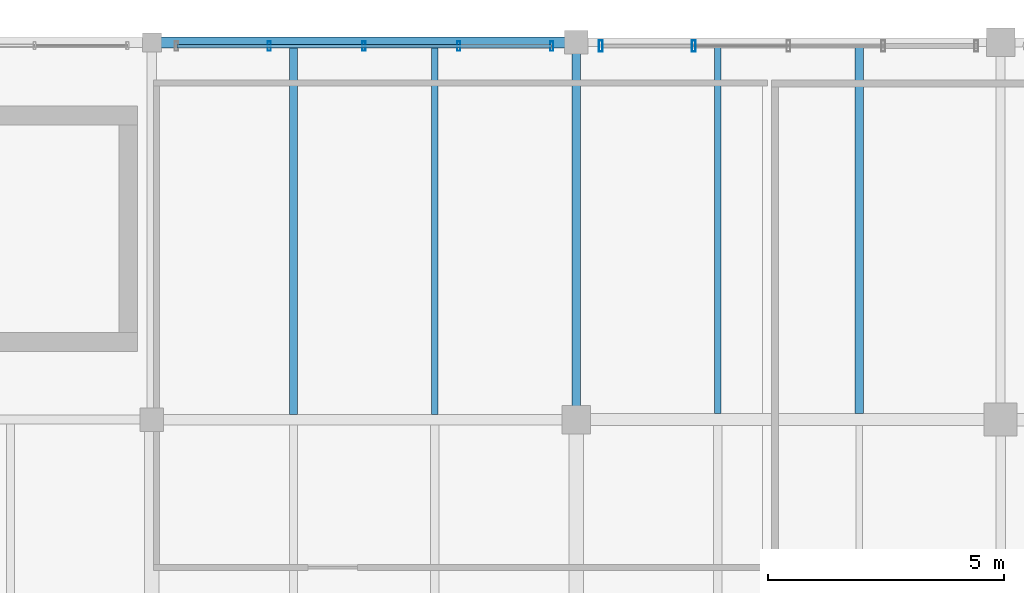
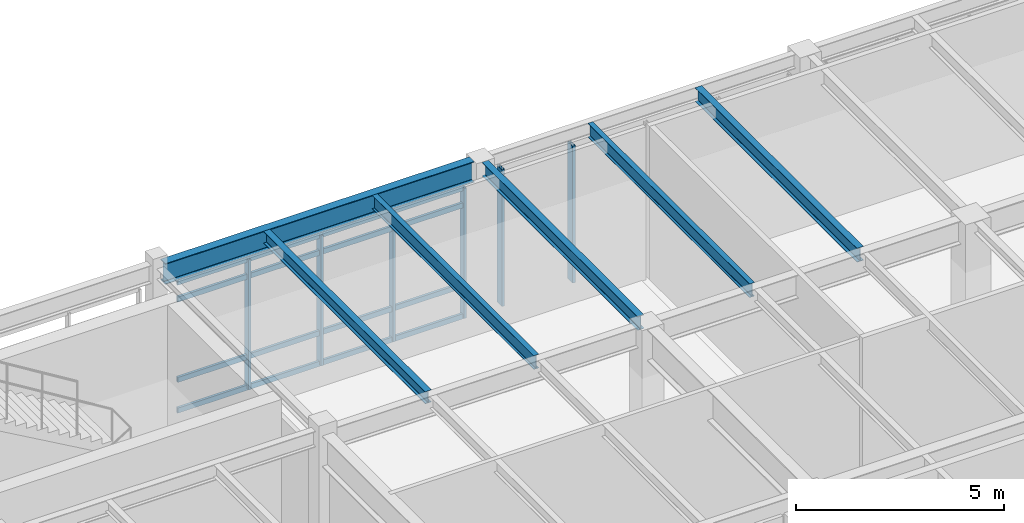
# One storey, part 95 of 200: 10 members, 6 beams, 2 elements without a shape of their own.
"""IFC4 building model written with IfcOpenShell, lengths in metres."""

from ifc_helpers import new_model, si_unit, direction, frame, origin, origin_2d, place, context, subcontext, project, spatial, hollow_rectangle, i_section, extrude, material, material_profile, profile_set, type_object, element, aggregate, save


model = new_model("IFC4")

# Units and contexts
model_context = context("Model", 3, precision=1e-05, world=origin(), true_north=direction((0.0, 1.0)))
body_context = subcontext(model_context, "Body", "Model", "MODEL_VIEW")
ifc_project = project(units=[si_unit("LENGTHUNIT", "METRE"), si_unit("AREAUNIT", "SQUARE_METRE"), si_unit("VOLUMEUNIT", "CUBIC_METRE"), si_unit("PLANEANGLEUNIT", "RADIAN"), si_unit("MASSUNIT", "GRAM", prefix="KILO"), si_unit("THERMODYNAMICTEMPERATUREUNIT", "KELVIN"), si_unit("POWERUNIT", "WATT")], contexts=[model_context])

# Site, building, storey
site_placement = place(None, origin())
site = spatial("IfcSite", under=ifc_project, at=site_placement, CompositionType="ELEMENT")
building_placement = place(site_placement, origin())
building = spatial("IfcBuilding", under=site, at=building_placement, Name="Tepalcoro Natatorium and Aquatics Centre", CompositionType="ELEMENT")
storey_placement = place(building_placement, frame((0.0, 0.0, 5.39990234375)))
storey = spatial("IfcBuildingStorey", under=building, at=storey_placement, Name="L01", CompositionType="ELEMENT", Elevation=5.39990234375)

# Beam
ifc_material_1 = material(Name="Steel ASTM A992 Grade 50 (Fy 345 MPa)", Category="steel")
ifc_material_profile_1 = material_profile(ifc_material_1, i_section(OverallWidth=0.177978515625, OverallDepth=0.406005859375, WebThickness=0.008056640625, FlangeThickness=0.012939453125, FilletRadius=0.013916015625, at=origin_2d()), Name="W16X40")
ifc_profile_set_1 = profile_set([ifc_material_profile_1], Name="Steel ASTM A992 Grade 50 (Fy 345 MPa)")
beam_type_1 = type_object("IfcBeamType", Name="BM_W16x40", PredefinedType="BEAM", material=ifc_profile_set_1)
beam_1_placement = place(storey_placement, frame((71.0, 110.284912109375, 4.281982421875), z_axis=(0.0, 1.0, 0.0), x_axis=(-1.0, 0.0, 0.0)))
element("IfcBeam", 1, at=beam_1_placement, inside=storey, type_object=beam_type_1, Name="V4 L01 Grid Girder Y", PredefinedType="BEAM", context=body_context, shape_type="SweptSolid", body=[
    extrude(i_section(OverallWidth=0.177978515625, OverallDepth=0.406005859375, WebThickness=0.008056640625, FlangeThickness=0.012939453125, FilletRadius=0.013916015625, at=origin_2d()), origin(), (0.0, 0.0, 1.0), 7.47998046875),
])

# Curtain wall, members
ifc_material_2 = material(Name="Bronze-Anodised Extruded Aluminium Alloy EN AW-6063 T6", Category="aluminium")
curtain_wall_type_1 = type_object("IfcCurtainWallType", Name="CW_V3_FOYER", PredefinedType="USERDEFINED", material=ifc_material_2)
curtain_wall_1_placement = place(storey_placement, origin())
curtain_wall_1 = element("IfcCurtainWall", 2, at=curtain_wall_1_placement, inside=storey, type_object=curtain_wall_type_1, Name="V4 L01 N Unitised Curtain Wall Bay 7", ObjectType="UNITISED STOREFRONT", PredefinedType="USERDEFINED")
ifc_material_profile_2 = material_profile(ifc_material_2, hollow_rectangle(XDim=0.070068359375, YDim=0.199951171875, WallThickness=0.0048828125, at=origin_2d()), Name="AL70X200X5")
ifc_profile_set_2 = profile_set([ifc_material_profile_2], Name="Bronze-Anodised Extruded Aluminium Alloy EN AW-6063 T6")
member_type_1 = type_object("IfcMemberType", Name="CW_MUL_70x200", PredefinedType="MULLION", material=ifc_profile_set_2)
member_1_placement = place(storey_placement, frame((64.489990234375, 117.919921875, 0.02001953125), z_axis=(0.0, 0.0, 1.0), x_axis=(1.0, 0.0, 0.0)))
member_1 = element("IfcMember", 3, at=member_1_placement, type_object=member_type_1, Name="CW_V3_FOYER Curtain Wall Mullion", PredefinedType="MULLION", context=body_context, shape_type="SweptSolid", body=[
    extrude(hollow_rectangle(XDim=0.070068359375, YDim=0.199951171875, WallThickness=0.0048828125, at=origin_2d()), origin(), (0.0, 0.0, 1.0), 3.818115234375),
])
member_2_placement = place(storey_placement, frame((66.5, 117.919921875, 0.02001953125), z_axis=(0.0, 0.0, 1.0), x_axis=(1.0, 0.0, 0.0)))
member_2 = element("IfcMember", 4, at=member_2_placement, type_object=member_type_1, Name="CW_V3_FOYER Curtain Wall Mullion", PredefinedType="MULLION", context=body_context, shape_type="SweptSolid", body=[
    extrude(hollow_rectangle(XDim=0.070068359375, YDim=0.199951171875, WallThickness=0.0048828125, at=origin_2d()), origin(), (0.0, 0.0, 1.0), 3.818115234375),
])
member_3_placement = place(storey_placement, frame((68.510009765625, 117.919921875, 0.02001953125), z_axis=(0.0, 0.0, 1.0), x_axis=(1.0, 0.0, 0.0)))
member_3 = element("IfcMember", 5, at=member_3_placement, type_object=member_type_1, Name="CW_V3_FOYER Curtain Wall Mullion", PredefinedType="MULLION", context=body_context, shape_type="SweptSolid", body=[
    extrude(hollow_rectangle(XDim=0.070068359375, YDim=0.199951171875, WallThickness=0.0048828125, at=origin_2d()), origin(), (0.0, 0.0, 1.0), 3.818115234375),
])
member_4_placement = place(storey_placement, frame((70.47998046875, 117.919921875, 0.02001953125), z_axis=(0.0, 0.0, 1.0), x_axis=(1.0, 0.0, 0.0)))
member_4 = element("IfcMember", 6, at=member_4_placement, type_object=member_type_1, Name="CW_V3_FOYER Curtain Wall Mullion", PredefinedType="MULLION", context=body_context, shape_type="SweptSolid", body=[
    extrude(hollow_rectangle(XDim=0.070068359375, YDim=0.199951171875, WallThickness=0.0048828125, at=origin_2d()), origin(), (0.0, 0.0, 1.0), 3.818115234375),
])

curtain_wall_type_2 = type_object("IfcCurtainWallType", Name="CW_V4_VILLAGE", PredefinedType="USERDEFINED", material=ifc_material_2)
curtain_wall_2_placement = place(storey_placement, origin())
curtain_wall_2 = element("IfcCurtainWall", 7, at=curtain_wall_2_placement, inside=storey, type_object=curtain_wall_type_2, Name="V4 L01 N Unitised Curtain Wall Bay 8", ObjectType="UNITISED STOREFRONT", PredefinedType="USERDEFINED")
ifc_material_profile_3 = material_profile(ifc_material_2, hollow_rectangle(XDim=0.080078125, YDim=0.239990234375, WallThickness=0.0048828125, at=origin_2d()), Name="AL80X240X5")
ifc_profile_set_3 = profile_set([ifc_material_profile_3], Name="Bronze-Anodised Extruded Aluminium Alloy EN AW-6063 T6")
member_type_2 = type_object("IfcMemberType", Name="CW_MUL_80x240", PredefinedType="MULLION", material=ifc_profile_set_3)
member_5_placement = place(storey_placement, frame((71.52001953125, 117.923828125, 0.02001953125), z_axis=(0.0, 0.0, 1.0), x_axis=(1.0, 0.0, 0.0)))
member_5 = element("IfcMember", 8, at=member_5_placement, type_object=member_type_2, Name="CW_V4_VILLAGE Curtain Wall Mullion", PredefinedType="MULLION", context=body_context, shape_type="SweptSolid", body=[
    extrude(hollow_rectangle(XDim=0.080078125, YDim=0.239990234375, WallThickness=0.0048828125, at=origin_2d()), origin(), (0.0, 0.0, 1.0), 4.01708984375),
])
member_6_placement = place(storey_placement, frame((73.489990234375, 117.923828125, 0.02001953125), z_axis=(0.0, 0.0, 1.0), x_axis=(1.0, 0.0, 0.0)))
member_6 = element("IfcMember", 9, at=member_6_placement, type_object=member_type_2, Name="CW_V4_VILLAGE Curtain Wall Mullion", PredefinedType="MULLION", context=body_context, shape_type="SweptSolid", body=[
    extrude(hollow_rectangle(XDim=0.080078125, YDim=0.239990234375, WallThickness=0.0048828125, at=origin_2d()), origin(), (0.0, 0.0, 1.0), 4.01708984375),
])
aggregate(curtain_wall_2, [member_5, member_6])

# Member
ifc_material_profile_4 = material_profile(ifc_material_2, hollow_rectangle(XDim=0.070068359375, YDim=0.14990234375, WallThickness=0.00390625, at=origin_2d()), Name="AL70X150X4")
ifc_profile_set_4 = profile_set([ifc_material_profile_4], Name="Bronze-Anodised Extruded Aluminium Alloy EN AW-6063 T6")
member_type_3 = type_object("IfcMemberType", Name="CW_TRN_70x150", PredefinedType="USERDEFINED", material=ifc_profile_set_4)
member_7_placement = place(storey_placement, frame((62.530029296875, 117.919921875, 0.050048828125), z_axis=(1.0, 0.0, 0.0), x_axis=(0.0, 1.0, 0.0)))
member_7 = element("IfcMember", 10, at=member_7_placement, type_object=member_type_3, Name="CW_V3_FOYER Curtain Wall Transom", ObjectType="TRANSOM", PredefinedType="USERDEFINED", context=body_context, shape_type="SweptSolid", body=[
    extrude(hollow_rectangle(XDim=0.070068359375, YDim=0.14990234375, WallThickness=0.00390625, at=origin_2d()), origin(), (0.0, 0.0, 1.0), 7.93994140625),
])

member_8_placement = place(storey_placement, frame((62.530029296875, 117.919921875, 0.9501953125), z_axis=(1.0, 0.0, 0.0), x_axis=(0.0, 1.0, 0.0)))
member_8 = element("IfcMember", 11, at=member_8_placement, type_object=member_type_3, Name="CW_V3_FOYER Curtain Wall Transom", ObjectType="TRANSOM", PredefinedType="USERDEFINED", context=body_context, shape_type="SweptSolid", body=[
    extrude(hollow_rectangle(XDim=0.070068359375, YDim=0.14990234375, WallThickness=0.00390625, at=origin_2d()), origin(), (0.0, 0.0, 1.0), 7.93994140625),
])

member_9_placement = place(storey_placement, frame((62.530029296875, 117.919921875, 3.30810546875), z_axis=(1.0, 0.0, 0.0), x_axis=(0.0, 1.0, 0.0)))
member_9 = element("IfcMember", 12, at=member_9_placement, type_object=member_type_3, Name="CW_V3_FOYER Curtain Wall Transom", ObjectType="TRANSOM", PredefinedType="USERDEFINED", context=body_context, shape_type="SweptSolid", body=[
    extrude(hollow_rectangle(XDim=0.070068359375, YDim=0.14990234375, WallThickness=0.00390625, at=origin_2d()), origin(), (0.0, 0.0, 1.0), 7.93994140625),
])

member_10_placement = place(storey_placement, frame((62.530029296875, 117.919921875, 3.80810546875), z_axis=(1.0, 0.0, 0.0), x_axis=(0.0, 1.0, 0.0)))
member_10 = element("IfcMember", 13, at=member_10_placement, type_object=member_type_3, Name="CW_V3_FOYER Curtain Wall Transom", ObjectType="TRANSOM", PredefinedType="USERDEFINED", context=body_context, shape_type="SweptSolid", body=[
    extrude(hollow_rectangle(XDim=0.070068359375, YDim=0.14990234375, WallThickness=0.00390625, at=origin_2d()), origin(), (0.0, 0.0, 1.0), 7.93994140625),
])

aggregate(curtain_wall_1, [member_1, member_2, member_3, member_4, member_7, member_8, member_9, member_10])

# Beams
ifc_material_profile_5 = material_profile(ifc_material_1, i_section(OverallWidth=0.172119140625, OverallDepth=0.35791015625, WebThickness=0.008056640625, FlangeThickness=0.012939453125, FilletRadius=0.013916015625, at=origin_2d()), Name="W14X38")
ifc_profile_set_5 = profile_set([ifc_material_profile_5], Name="Steel ASTM A992 Grade 50 (Fy 345 MPa)")
beam_type_2 = type_object("IfcBeamType", Name="JS_W14x38", PredefinedType="JOIST", material=ifc_profile_set_5)
beam_2_placement = place(storey_placement, frame((65.0, 110.114013671875, 4.30615234375), z_axis=(0.0, 1.0, 0.0), x_axis=(-1.0, 0.0, 0.0)))
element("IfcBeam", 14, at=beam_2_placement, inside=storey, type_object=beam_type_2, Name="V4 L01 Floor Joist", PredefinedType="JOIST", context=body_context, shape_type="SweptSolid", body=[
    extrude(i_section(OverallWidth=0.172119140625, OverallDepth=0.35791015625, WebThickness=0.008056640625, FlangeThickness=0.012939453125, FilletRadius=0.013916015625, at=origin_2d()), origin(), (0.0, 0.0, 1.0), 7.771484375),
])
ifc_material_profile_6 = material_profile(ifc_material_1, i_section(OverallWidth=0.139892578125, OverallDepth=0.404052734375, WebThickness=0.007080078125, FlangeThickness=0.010986328125, FilletRadius=0.013916015625, at=origin_2d()), Name="W16X31")
ifc_profile_set_6 = profile_set([ifc_material_profile_6], Name="Steel ASTM A992 Grade 50 (Fy 345 MPa)")
beam_type_3 = type_object("IfcBeamType", Name="JS_W16x31", PredefinedType="JOIST", material=ifc_profile_set_6)
beam_3_placement = place(storey_placement, frame((68.0, 110.114013671875, 4.283203125), z_axis=(0.0, 1.0, 0.0), x_axis=(-1.0, 0.0, 0.0)))
element("IfcBeam", 15, at=beam_3_placement, inside=storey, type_object=beam_type_3, Name="V4 L01 Floor Joist", PredefinedType="JOIST", context=body_context, shape_type="SweptSolid", body=[
    extrude(i_section(OverallWidth=0.139892578125, OverallDepth=0.404052734375, WebThickness=0.007080078125, FlangeThickness=0.010986328125, FilletRadius=0.013916015625, at=origin_2d()), origin(), (0.0, 0.0, 1.0), 7.771484375),
])
beam_4_placement = place(storey_placement, frame((74.0, 110.126953125, 4.283203125), z_axis=(0.0, 1.0, 0.0), x_axis=(-1.0, 0.0, 0.0)))
element("IfcBeam", 16, at=beam_4_placement, inside=storey, type_object=beam_type_3, Name="V4 L01 Floor Joist", PredefinedType="JOIST", context=body_context, shape_type="SweptSolid", body=[
    extrude(i_section(OverallWidth=0.139892578125, OverallDepth=0.404052734375, WebThickness=0.007080078125, FlangeThickness=0.010986328125, FilletRadius=0.013916015625, at=origin_2d()), origin(), (0.0, 0.0, 1.0), 7.782958984375),
])
ifc_material_profile_7 = material_profile(ifc_material_1, i_section(OverallWidth=0.178955078125, OverallDepth=0.409912109375, WebThickness=0.009033203125, FlangeThickness=0.013916015625, FilletRadius=0.013916015625, at=origin_2d()), Name="W16X45")
ifc_profile_set_7 = profile_set([ifc_material_profile_7], Name="Steel ASTM A992 Grade 50 (Fy 345 MPa)")
beam_type_4 = type_object("IfcBeamType", Name="JS_W16x45", PredefinedType="JOIST", material=ifc_profile_set_7)
beam_5_placement = place(storey_placement, frame((77.0, 110.126953125, 4.280029296875), z_axis=(0.0, 1.0, 0.0), x_axis=(-1.0, 0.0, 0.0)))
element("IfcBeam", 17, at=beam_5_placement, inside=storey, type_object=beam_type_4, Name="V4 L01 Floor Joist", PredefinedType="JOIST", context=body_context, shape_type="SweptSolid", body=[
    extrude(i_section(OverallWidth=0.178955078125, OverallDepth=0.409912109375, WebThickness=0.009033203125, FlangeThickness=0.013916015625, FilletRadius=0.013916015625, at=origin_2d()), origin(), (0.0, 0.0, 1.0), 7.782958984375),
])
ifc_material_profile_8 = material_profile(ifc_material_1, i_section(OverallWidth=0.22900390625, OverallDepth=0.612060546875, WebThickness=0.011962890625, FlangeThickness=0.02001953125, FilletRadius=0.013916015625, at=origin_2d()), Name="W24X84")
ifc_profile_set_8 = profile_set([ifc_material_profile_8], Name="Steel ASTM A992 Grade 50 (Fy 345 MPa)")
beam_type_5 = type_object("IfcBeamType", Name="SP_W24x84", PredefinedType="SPANDREL", material=ifc_profile_set_8)
beam_6_placement = place(storey_placement, frame((62.18505859375, 118.0, 4.17919921875), z_axis=(1.0, 0.0, 0.0), x_axis=(0.0, 1.0, 0.0)))
element("IfcBeam", 18, at=beam_6_placement, inside=storey, type_object=beam_type_5, Name="V4 L01 Grid Girder X", PredefinedType="SPANDREL", context=body_context, shape_type="SweptSolid", body=[
    extrude(i_section(OverallWidth=0.22900390625, OverallDepth=0.612060546875, WebThickness=0.011962890625, FlangeThickness=0.02001953125, FilletRadius=0.013916015625, at=origin_2d()), origin(), (0.0, 0.0, 1.0), 8.579833984375),
])

save(model, "model.ifc")
